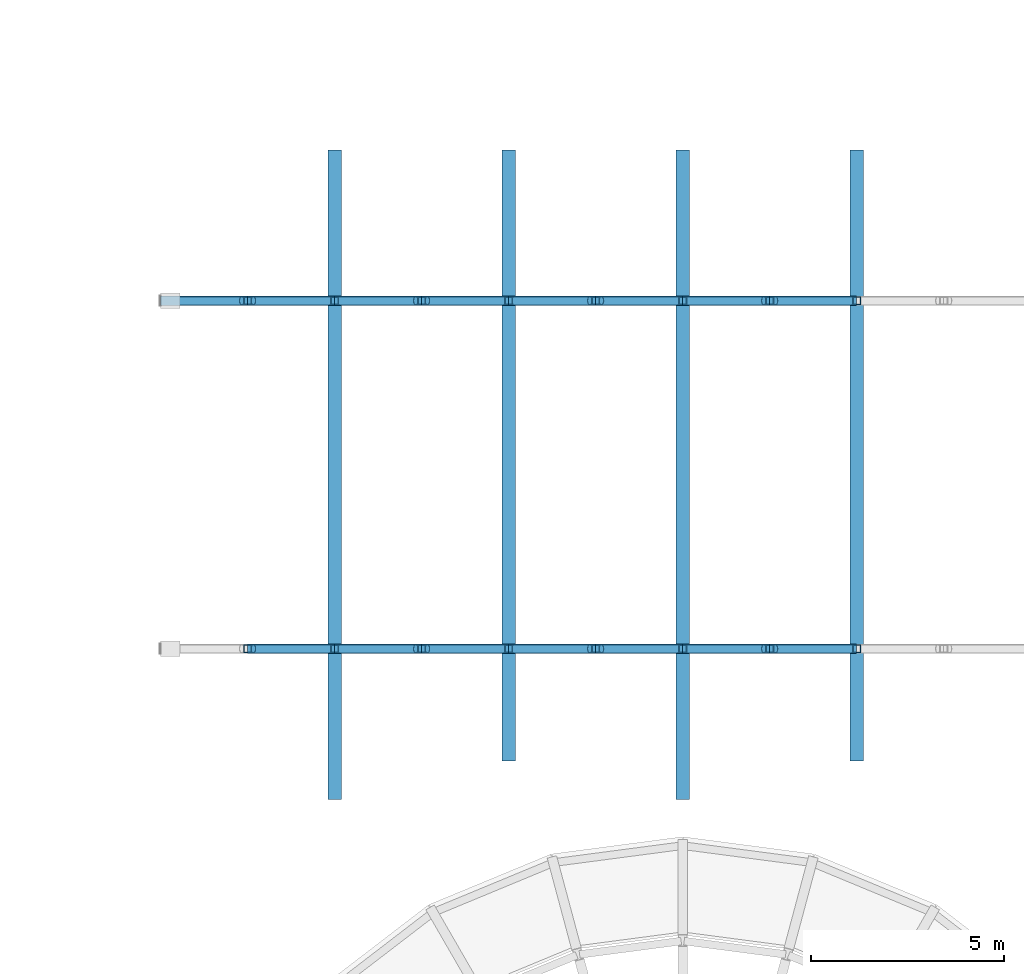
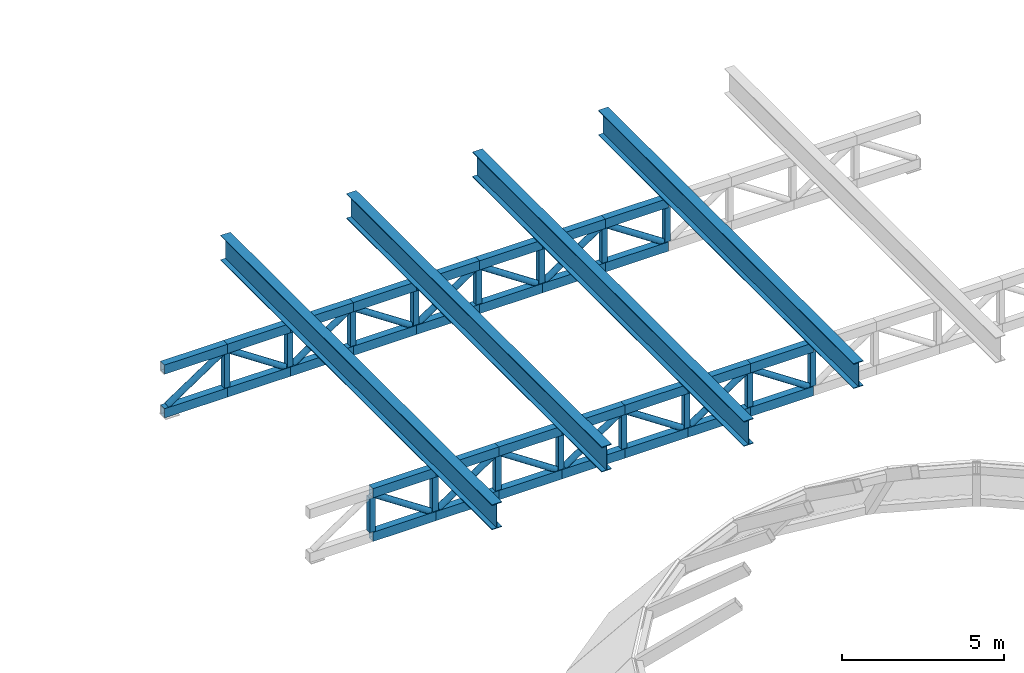
# One storey, part 4 of 20: 61 members, 4 beams.
"""IFC4 building model written with IfcOpenShell, lengths in metres."""

from ifc_helpers import new_model, si_unit, direction, frame, origin, origin_2d, place, context, subcontext, project, spatial, hollow_rectangle, hollow_circle, i_section, extrude, material, material_profile, profile_set, type_object, element, save


model = new_model("IFC4")

# Units and contexts
model_context = context("Model", 3, precision=1e-05, world=origin(), true_north=direction((0.0, 1.0)))
body_context = subcontext(model_context, "Body", "Model", "MODEL_VIEW")
ifc_project = project(units=[si_unit("LENGTHUNIT", "METRE"), si_unit("AREAUNIT", "SQUARE_METRE"), si_unit("VOLUMEUNIT", "CUBIC_METRE"), si_unit("PLANEANGLEUNIT", "RADIAN"), si_unit("MASSUNIT", "GRAM", prefix="KILO")], contexts=[model_context])

# Site, building, storey
site_placement = place(None, origin())
site = spatial("IfcSite", under=ifc_project, at=site_placement, CompositionType="ELEMENT")
building_placement = place(site_placement, origin())
building = spatial("IfcBuilding", under=site, at=building_placement, Name="Firuza Court", CompositionType="ELEMENT")
storey_placement = place(building_placement, frame((0.0, 0.0, 29.0)))
storey = spatial("IfcBuildingStorey", under=building, at=storey_placement, Name="L05", CompositionType="ELEMENT", Elevation=29.0)

# Members
ifc_material_1 = material(Name="Steel S355", Category="steel")
ifc_material_profile_1 = material_profile(ifc_material_1, hollow_rectangle(XDim=0.199951171875, YDim=0.199951171875, WallThickness=0.010009765625, at=origin_2d()), Name="RHS 200X200X10")
ifc_profile_set_1 = profile_set([ifc_material_profile_1], Name="Steel S355")
member_type_1 = type_object("IfcMemberType", Name="STEEL BOX 200X200X10", PredefinedType="BRACE", material=ifc_profile_set_1)
for number, where, z_axis, x_axis, name in (
    (1, (110.25, 31.5, 1.35009765625), (0.0, 0.0, 1.0), (1.0, 0.0, 0.0), "Truss 1 post 1"),
    (2, (112.5, 31.5, 1.35009765625), (0.0, 0.0, 1.0), (1.0, 0.0, 0.0), "Truss 1 post 2"),
    (3, (114.75, 31.5, 1.35009765625), (0.0, 0.0, 1.0), (1.0, 0.0, 0.0), "Truss 1 post 3"),
    (4, (117.0, 31.5, 1.35009765625), (0.0, 0.0, 1.0), (1.0, 0.0, 0.0), "Truss 1 post 4"),
    (5, (119.25, 31.5, 1.35009765625), (0.0, 0.0, 1.0), (1.0, 0.0, 0.0), "Truss 1 post 5"),
    (6, (121.5, 31.5, 1.35009765625), (0.0, 0.0, 1.0), (1.0, 0.0, 0.0), "Truss 1 post 6"),
    (7, (123.75, 31.5, 1.35009765625), (0.0, 0.0, 1.0), (1.0, 0.0, 0.0), "Truss 1 post 7"),
    (8, (126.0, 31.5, 1.35009765625), (0.0, 0.0, 1.0), (1.0, 0.0, 0.0), "Truss 1 post 8"),
    (9, (110.25, 40.5, 1.35009765625), (0.0, 0.0, 1.0), (1.0, 0.0, 0.0), "Truss 2 post 1"),
    (10, (112.5, 40.5, 1.35009765625), (0.0, 0.0, 1.0), (1.0, 0.0, 0.0), "Truss 2 post 2"),
    (11, (114.75, 40.5, 1.35009765625), (0.0, 0.0, 1.0), (1.0, 0.0, 0.0), "Truss 2 post 3"),
    (12, (117.0, 40.5, 1.35009765625), (0.0, 0.0, 1.0), (1.0, 0.0, 0.0), "Truss 2 post 4"),
    (13, (119.25, 40.5, 1.35009765625), (0.0, 0.0, 1.0), (1.0, 0.0, 0.0), "Truss 2 post 5"),
    (14, (121.5, 40.5, 1.35009765625), (0.0, 0.0, 1.0), (1.0, 0.0, 0.0), "Truss 2 post 6"),
    (15, (123.75, 40.5, 1.35009765625), (0.0, 0.0, 1.0), (1.0, 0.0, 0.0), "Truss 2 post 7"),
    (16, (126.0, 40.5, 1.35009765625), (0.0, 0.0, 1.0), (1.0, 0.0, 0.0), "Truss 2 post 8"),
):
    element("IfcMember", number, at=place(storey_placement, frame(where, z_axis=z_axis, x_axis=x_axis)), inside=storey, type_object=member_type_1, Name=name, PredefinedType="POST", context=body_context, shape_type="SweptSolid", body=[
        extrude(hollow_rectangle(XDim=0.199951171875, YDim=0.199951171875, WallThickness=0.010009765625, at=origin_2d()), origin(), (0.0, 0.0, 1.0), 1.2998046875),
    ])
ifc_material_2 = material(Name="Steel S355", Category="steel")
ifc_material_profile_2 = material_profile(ifc_material_2, hollow_rectangle(XDim=0.25, YDim=0.35009765625, WallThickness=0.01611328125, at=origin_2d()), Name="RHS 350X250X16")
ifc_profile_set_2 = profile_set([ifc_material_profile_2], Name="Steel S355")
member_type_2 = type_object("IfcMemberType", Name="STEEL BOX 350X250X16", PredefinedType="BRACE", material=ifc_profile_set_2)
for number, where, z_axis, x_axis, name in (
    (17, (110.25, 31.5, 1.175048828125), (1.0, 0.0, 0.0), (0.0, 1.0, 0.0), "Truss 1 bottom chord 2"),
    (18, (110.25, 31.5, 2.824951171875), (1.0, 0.0, 0.0), (0.0, 1.0, 0.0), "Truss 1 top chord 2"),
    (19, (112.5, 31.5, 1.175048828125), (1.0, 0.0, 0.0), (0.0, 1.0, 0.0), "Truss 1 bottom chord 3"),
    (20, (112.5, 31.5, 2.824951171875), (1.0, 0.0, 0.0), (0.0, 1.0, 0.0), "Truss 1 top chord 3"),
    (21, (114.75, 31.5, 1.175048828125), (1.0, 0.0, 0.0), (0.0, 1.0, 0.0), "Truss 1 bottom chord 4"),
    (22, (114.75, 31.5, 2.824951171875), (1.0, 0.0, 0.0), (0.0, 1.0, 0.0), "Truss 1 top chord 4"),
    (23, (117.0, 31.5, 1.175048828125), (1.0, 0.0, 0.0), (0.0, 1.0, 0.0), "Truss 1 bottom chord 5"),
    (24, (117.0, 31.5, 2.824951171875), (1.0, 0.0, 0.0), (0.0, 1.0, 0.0), "Truss 1 top chord 5"),
    (25, (119.25, 31.5, 1.175048828125), (1.0, 0.0, 0.0), (0.0, 1.0, 0.0), "Truss 1 bottom chord 6"),
    (26, (119.25, 31.5, 2.824951171875), (1.0, 0.0, 0.0), (0.0, 1.0, 0.0), "Truss 1 top chord 6"),
    (27, (121.5, 31.5, 1.175048828125), (1.0, 0.0, 0.0), (0.0, 1.0, 0.0), "Truss 1 bottom chord 7"),
    (28, (121.5, 31.5, 2.824951171875), (1.0, 0.0, 0.0), (0.0, 1.0, 0.0), "Truss 1 top chord 7"),
    (29, (123.75, 31.5, 1.175048828125), (1.0, 0.0, 0.0), (0.0, 1.0, 0.0), "Truss 1 bottom chord 8"),
    (30, (123.75, 31.5, 2.824951171875), (1.0, 0.0, 0.0), (0.0, 1.0, 0.0), "Truss 1 top chord 8"),
    (31, (108.0, 40.5, 1.175048828125), (1.0, 0.0, 0.0), (0.0, 1.0, 0.0), "Truss 2 bottom chord 1"),
    (32, (108.0, 40.5, 2.824951171875), (1.0, 0.0, 0.0), (0.0, 1.0, 0.0), "Truss 2 top chord 1"),
    (33, (110.25, 40.5, 1.175048828125), (1.0, 0.0, 0.0), (0.0, 1.0, 0.0), "Truss 2 bottom chord 2"),
    (34, (110.25, 40.5, 2.824951171875), (1.0, 0.0, 0.0), (0.0, 1.0, 0.0), "Truss 2 top chord 2"),
    (35, (112.5, 40.5, 1.175048828125), (1.0, 0.0, 0.0), (0.0, 1.0, 0.0), "Truss 2 bottom chord 3"),
    (36, (112.5, 40.5, 2.824951171875), (1.0, 0.0, 0.0), (0.0, 1.0, 0.0), "Truss 2 top chord 3"),
    (37, (114.75, 40.5, 1.175048828125), (1.0, 0.0, 0.0), (0.0, 1.0, 0.0), "Truss 2 bottom chord 4"),
    (38, (114.75, 40.5, 2.824951171875), (1.0, 0.0, 0.0), (0.0, 1.0, 0.0), "Truss 2 top chord 4"),
    (39, (117.0, 40.5, 1.175048828125), (1.0, 0.0, 0.0), (0.0, 1.0, 0.0), "Truss 2 bottom chord 5"),
    (40, (117.0, 40.5, 2.824951171875), (1.0, 0.0, 0.0), (0.0, 1.0, 0.0), "Truss 2 top chord 5"),
    (41, (119.25, 40.5, 1.175048828125), (1.0, 0.0, 0.0), (0.0, 1.0, 0.0), "Truss 2 bottom chord 6"),
    (42, (119.25, 40.5, 2.824951171875), (1.0, 0.0, 0.0), (0.0, 1.0, 0.0), "Truss 2 top chord 6"),
    (43, (121.5, 40.5, 1.175048828125), (1.0, 0.0, 0.0), (0.0, 1.0, 0.0), "Truss 2 bottom chord 7"),
    (44, (121.5, 40.5, 2.824951171875), (1.0, 0.0, 0.0), (0.0, 1.0, 0.0), "Truss 2 top chord 7"),
    (45, (123.75, 40.5, 1.175048828125), (1.0, 0.0, 0.0), (0.0, 1.0, 0.0), "Truss 2 bottom chord 8"),
    (46, (123.75, 40.5, 2.824951171875), (1.0, 0.0, 0.0), (0.0, 1.0, 0.0), "Truss 2 top chord 8"),
):
    element("IfcMember", number, at=place(storey_placement, frame(where, z_axis=z_axis, x_axis=x_axis)), inside=storey, type_object=member_type_2, Name=name, PredefinedType="CHORD", context=body_context, shape_type="SweptSolid", body=[
        extrude(hollow_rectangle(XDim=0.25, YDim=0.35009765625, WallThickness=0.01611328125, at=origin_2d()), origin(), (0.0, 0.0, 1.0), 2.25),
    ])

# Beams
ifc_material_3 = material(Name="Steel S355", Category="steel")
ifc_material_profile_3 = material_profile(ifc_material_3, i_section(OverallWidth=0.35009765625, OverallDepth=0.949951171875, WebThickness=0.01611328125, FlangeThickness=0.028076171875, at=origin_2d()), Name="I 950X350")
ifc_profile_set_3 = profile_set([ifc_material_profile_3], Name="Steel S355")
beam_type = type_object("IfcBeamType", Name="STEEL ROOF GIRDER 950", PredefinedType="BEAM", material=ifc_profile_set_3)
beam_1_placement = place(storey_placement, frame((112.5, 27.60009765625, 3.47509765625), z_axis=(0.0, 1.0, 0.0), x_axis=(-1.0, 0.0, 0.0)))
element("IfcBeam", 47, at=beam_1_placement, inside=storey, type_object=beam_type, Name="Roof girder 1", PredefinedType="BEAM", context=body_context, shape_type="SweptSolid", body=[
    extrude(i_section(OverallWidth=0.35009765625, OverallDepth=0.949951171875, WebThickness=0.01611328125, FlangeThickness=0.028076171875, at=origin_2d()), origin(), (0.0, 0.0, 1.0), 16.7998046875),
])
beam_2_placement = place(storey_placement, frame((117.0, 28.60009765625, 3.47509765625), z_axis=(0.0, 1.0, 0.0), x_axis=(-1.0, 0.0, 0.0)))
element("IfcBeam", 48, at=beam_2_placement, inside=storey, type_object=beam_type, Name="Roof girder 2", PredefinedType="BEAM", context=body_context, shape_type="SweptSolid", body=[
    extrude(i_section(OverallWidth=0.35009765625, OverallDepth=0.949951171875, WebThickness=0.01611328125, FlangeThickness=0.028076171875, at=origin_2d()), origin(), (0.0, 0.0, 1.0), 15.7998046875),
])
beam_3_placement = place(storey_placement, frame((121.5, 27.60009765625, 3.47509765625), z_axis=(0.0, 1.0, 0.0), x_axis=(-1.0, 0.0, 0.0)))
element("IfcBeam", 49, at=beam_3_placement, inside=storey, type_object=beam_type, Name="Roof girder 3", PredefinedType="BEAM", context=body_context, shape_type="SweptSolid", body=[
    extrude(i_section(OverallWidth=0.35009765625, OverallDepth=0.949951171875, WebThickness=0.01611328125, FlangeThickness=0.028076171875, at=origin_2d()), origin(), (0.0, 0.0, 1.0), 16.7998046875),
])
beam_4_placement = place(storey_placement, frame((126.0, 28.60009765625, 3.47509765625), z_axis=(0.0, 1.0, 0.0), x_axis=(-1.0, 0.0, 0.0)))
element("IfcBeam", 50, at=beam_4_placement, inside=storey, type_object=beam_type, Name="Roof girder 4", PredefinedType="BEAM", context=body_context, shape_type="SweptSolid", body=[
    extrude(i_section(OverallWidth=0.35009765625, OverallDepth=0.949951171875, WebThickness=0.01611328125, FlangeThickness=0.028076171875, at=origin_2d()), origin(), (0.0, 0.0, 1.0), 15.7998046875),
])

# Members
ifc_material_4 = material(Name="Steel S355", Category="steel")
ifc_material_profile_4 = material_profile(ifc_material_4, hollow_circle(Radius=0.109619140625, WallThickness=0.010009765625, at=origin_2d()), Name="CHS 219X10")
ifc_profile_set_4 = profile_set([ifc_material_profile_4], Name="Steel S355")
member_type_3 = type_object("IfcMemberType", Name="STEEL TUBE 219X10", PredefinedType="BRACE", material=ifc_profile_set_4)
for number, where, z_axis, x_axis, name in (
    (51, (110.39990234375, 31.5, 2.64990234375), (0.832114393738, 0.0, -0.554604035086), (0.0, 1.0, 0.0), "Truss 1 diagonal 2"),
    (52, (112.64990234375, 31.5, 1.35009765625), (0.832114393738, 0.0, 0.554604035086), (0.0, 1.0, 0.0), "Truss 1 diagonal 3"),
    (53, (114.89990234375, 31.5, 2.64990234375), (0.832114393738, 0.0, -0.554604035086), (0.0, 1.0, 0.0), "Truss 1 diagonal 4"),
    (54, (117.14990234375, 31.5, 1.35009765625), (0.832114393738, 0.0, 0.554604035086), (0.0, 1.0, 0.0), "Truss 1 diagonal 5"),
    (55, (119.39990234375, 31.5, 2.64990234375), (0.832114393738, 0.0, -0.554604035086), (0.0, 1.0, 0.0), "Truss 1 diagonal 6"),
    (56, (121.64990234375, 31.5, 1.35009765625), (0.832114393738, 0.0, 0.554604035086), (0.0, 1.0, 0.0), "Truss 1 diagonal 7"),
    (57, (123.89990234375, 31.5, 2.64990234375), (0.832114393738, 0.0, -0.554604035086), (0.0, 1.0, 0.0), "Truss 1 diagonal 8"),
    (58, (108.14990234375, 40.5, 1.35009765625), (0.832114393738, 0.0, 0.554604035086), (0.0, 1.0, 0.0), "Truss 2 diagonal 1"),
    (59, (110.39990234375, 40.5, 2.64990234375), (0.832114393738, 0.0, -0.554604035086), (0.0, 1.0, 0.0), "Truss 2 diagonal 2"),
    (60, (112.64990234375, 40.5, 1.35009765625), (0.832114393738, 0.0, 0.554604035086), (0.0, 1.0, 0.0), "Truss 2 diagonal 3"),
    (61, (114.89990234375, 40.5, 2.64990234375), (0.832114393738, 0.0, -0.554604035086), (0.0, 1.0, 0.0), "Truss 2 diagonal 4"),
    (62, (117.14990234375, 40.5, 1.35009765625), (0.832114393738, 0.0, 0.554604035086), (0.0, 1.0, 0.0), "Truss 2 diagonal 5"),
    (63, (119.39990234375, 40.5, 2.64990234375), (0.832114393738, 0.0, -0.554604035086), (0.0, 1.0, 0.0), "Truss 2 diagonal 6"),
    (64, (121.64990234375, 40.5, 1.35009765625), (0.832114393738, 0.0, 0.554604035086), (0.0, 1.0, 0.0), "Truss 2 diagonal 7"),
    (65, (123.89990234375, 40.5, 2.64990234375), (0.832114393738, 0.0, -0.554604035086), (0.0, 1.0, 0.0), "Truss 2 diagonal 8"),
):
    element("IfcMember", number, at=place(storey_placement, frame(where, z_axis=z_axis, x_axis=x_axis)), inside=storey, type_object=member_type_3, Name=name, PredefinedType="BRACE", context=body_context, shape_type="SweptSolid", body=[
        extrude(hollow_circle(Radius=0.109619140625, WallThickness=0.010009765625, at=origin_2d()), origin(), (0.0, 0.0, 1.0), 2.34375),
    ])

save(model, "model.ifc")
